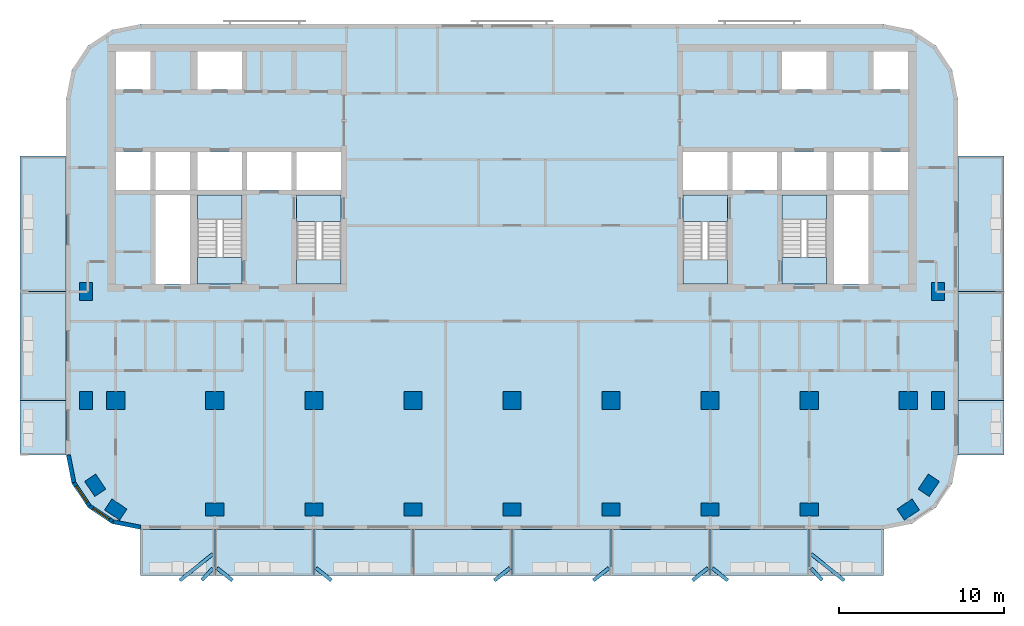
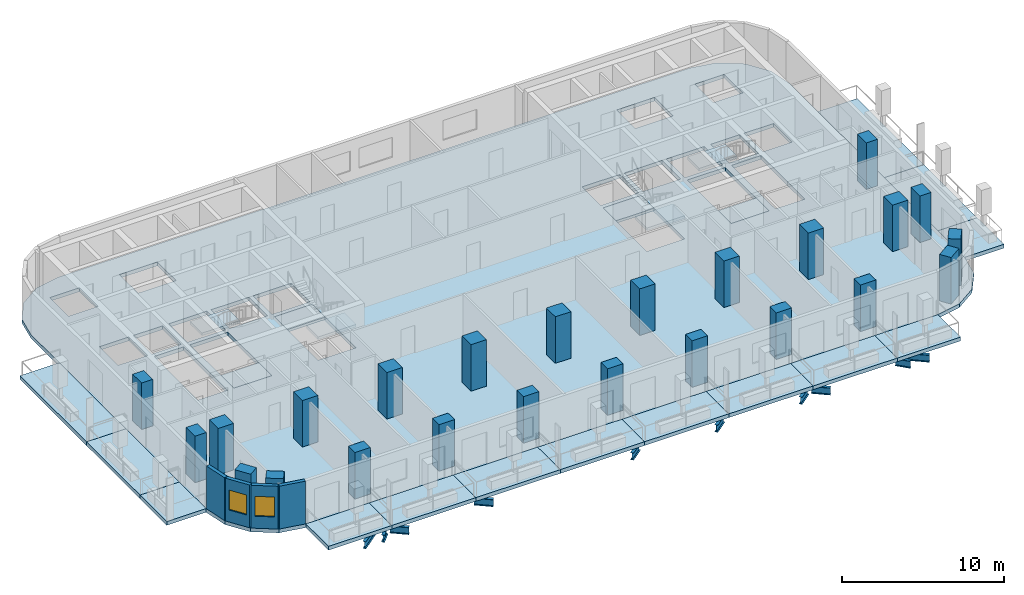
# One storey, part 1 of 11: 24 columns, 23 slabs, 10 beams, 4 walls, 2 windows, 2 openings, 4 elements without a shape of their own.
"""IFC4 building model written with IfcOpenShell, lengths in metres."""

import ifcopenshell
import ifcopenshell.guid

model = None  # the IFC model being written
_history = None  # IfcOwnerHistory: only IFC2X3 demands one
_inside = {}  # id of a spatial element -> (the spatial element, [elements in it])
_under = {}  # id of a project, library or spatial element -> (it, [spatial elements below it])
_declared = {}  # id of a project -> (the project, [libraries it declares])
_typed = {}  # id of a type object -> (the type object, [elements of that type])
_made_of = {}  # id of a material, layer set ... -> (it, [elements and type objects made of it])


def new_model(schema):
    """Start an empty IFC model of exactly this schema.

    Asked for "IFC4X3", IfcOpenShell would pick the latest addendum, in which some entities
    have other attributes; the version numbers below select the first issue.
    IFC2X3 requires an IfcOwnerHistory on every rooted entity: one is made here for all.
    """
    global model, _history
    if schema == "IFC4X3":
        model = ifcopenshell.file(schema_version=(4, 3, 0, 0))
    else:
        model = ifcopenshell.file(schema=schema)
    _inside.clear()
    _under.clear()
    _declared.clear()
    _typed.clear()
    _made_of.clear()
    _history = None
    if model.schema == "IFC2X3":
        org = make("IfcOrganization", Name="unknown")
        user = make(
            "IfcPersonAndOrganization",
            ThePerson=make("IfcPerson", FamilyName="unknown"),
            TheOrganization=org,
        )
        app = make(
            "IfcApplication",
            ApplicationDeveloper=org,
            Version="unknown",
            ApplicationFullName="unknown",
            ApplicationIdentifier="unknown",
        )
        _history = make(
            "IfcOwnerHistory",
            OwningUser=user,
            OwningApplication=app,
            ChangeAction="ADDED",
            CreationDate=0,
        )
    return model


def make(cls, **values):
    """One entity of the class cls with the attributes given. An attribute that is None is left unset."""
    return model.create_entity(
        cls, **{name: value for name, value in values.items() if value is not None}
    )


def rooted(cls, **values):
    """An entity with a GlobalId (a new one), such as an element, a storey or a relation."""
    return make(cls, GlobalId=ifcopenshell.guid.new(), OwnerHistory=_history, **values)


def si_unit(unit_type, name, prefix=None):
    """IfcSIUnit, for example si_unit("LENGTHUNIT", "METRE", prefix="MILLI")."""
    return make("IfcSIUnit", UnitType=unit_type, Prefix=prefix, Name=name)


def assignment(units):
    """IfcUnitAssignment: the units of a project."""
    return None if units is None else make("IfcUnitAssignment", Units=units)


def point(xyz):
    """IfcCartesianPoint."""
    return None if xyz is None else make("IfcCartesianPoint", Coordinates=xyz)


def direction(xyz):
    """IfcDirection."""
    return None if xyz is None else make("IfcDirection", DirectionRatios=xyz)


def frame(location, z_axis=None, x_axis=None):
    """IfcAxis2Placement3D, a coordinate frame: its origin and axes. An axis left out is left unset."""
    return make(
        "IfcAxis2Placement3D",
        Location=point(location),
        Axis=direction(z_axis),
        RefDirection=direction(x_axis),
    )


def frame_2d(location, x_axis=None):
    """IfcAxis2Placement2D, a coordinate frame in the plane: its origin and x axis."""
    return make(
        "IfcAxis2Placement2D", Location=point(location), RefDirection=direction(x_axis)
    )


def origin():
    """The frame at (0, 0, 0) with its axes left unset."""
    return frame((0.0, 0.0, 0.0))


def origin_2d():
    """The frame at (0, 0) in the plane with its x axis left unset."""
    return frame_2d((0.0, 0.0))


def place(relative_to, where):
    """IfcLocalPlacement: puts the frame where relative to a parent placement (None: the world)."""
    return make(
        "IfcLocalPlacement", PlacementRelTo=relative_to, RelativePlacement=where
    )


def context(
    kind, dimensions, precision=None, world=None, true_north=None, identifier=None
):
    """IfcGeometricRepresentationContext, for example the 3D "Model" context."""
    return make(
        "IfcGeometricRepresentationContext",
        ContextIdentifier=identifier,
        ContextType=kind,
        CoordinateSpaceDimension=dimensions,
        Precision=precision,
        WorldCoordinateSystem=world,
        TrueNorth=true_north,
    )


def subcontext(parent, identifier, kind, view, scale=None):
    """IfcGeometricRepresentationSubContext, for example "Body" below "Model"."""
    return make(
        "IfcGeometricRepresentationSubContext",
        ContextIdentifier=identifier,
        ContextType=kind,
        ParentContext=parent,
        TargetScale=scale,
        TargetView=view,
    )


def project(units=None, contexts=None):
    """IfcProject with its units and contexts."""
    return rooted(
        "IfcProject",
        Name="project",
        RepresentationContexts=contexts,
        UnitsInContext=assignment(units),
    )


def spatial(cls, under=None, at=None, **own):
    """A site, building, storey or space (cls), placed at a placement, below another one or the project."""
    s = rooted(cls, ObjectPlacement=at, **own)
    if under is not None:
        _under.setdefault(under.id(), (under, []))[1].append(s)
    return s


def polyline(points):
    """IfcPolyline through the points."""
    return make("IfcPolyline", Points=[point(p) for p in points])


def profile(cls, at=None, kind="AREA", **sizes):
    """A parametric profile (cls). Its sizes go by their IFC names, for example OverallWidth=200.0."""
    return make(cls, ProfileType=kind, Position=at, **sizes)


def rectangle(**sizes):
    """IfcRectangleProfileDef."""
    return profile("IfcRectangleProfileDef", **sizes)


def i_section(**sizes):
    """IfcIShapeProfileDef."""
    return profile("IfcIShapeProfileDef", **sizes)


def outline(outer, holes=None, kind="AREA"):
    """IfcArbitraryClosedProfileDef: a profile drawn as a closed curve; with holes, ...WithVoids."""
    if holes is None:
        return make("IfcArbitraryClosedProfileDef", ProfileType=kind, OuterCurve=outer)
    return make(
        "IfcArbitraryProfileDefWithVoids",
        ProfileType=kind,
        OuterCurve=outer,
        InnerCurves=holes,
    )


def extrude(swept, where, along, depth):
    """IfcExtrudedAreaSolid: the profile swept, set in the frame where, extruded along a direction by depth."""
    return make(
        "IfcExtrudedAreaSolid",
        SweptArea=swept,
        Position=where,
        ExtrudedDirection=direction(along),
        Depth=depth,
    )


def shape(context_of_items, identifier, shape_type, items):
    """IfcShapeRepresentation: the items that make up one representation, for example the "Body"."""
    return make(
        "IfcShapeRepresentation",
        ContextOfItems=context_of_items,
        RepresentationIdentifier=identifier,
        RepresentationType=shape_type,
        Items=items,
    )


def material(Name=None, Category=None):
    """IfcMaterial."""
    return make("IfcMaterial", Name=Name, Category=Category)


def layer(
    of_material, thickness, ventilated=None, Name=None, Category=None, Priority=None
):
    """IfcMaterialLayer: one layer of a wall or slab, of a material (None: an air gap)."""
    return make(
        "IfcMaterialLayer",
        Material=of_material,
        LayerThickness=thickness,
        IsVentilated=ventilated,
        Name=Name,
        Category=Category,
        Priority=Priority,
    )


def layer_set(layers, Name=None):
    """IfcMaterialLayerSet."""
    return make("IfcMaterialLayerSet", MaterialLayers=layers, LayerSetName=Name)


def material_profile(
    of_material, cross_section, Name=None, Category=None, Priority=None
):
    """IfcMaterialProfile: a cross section and its material."""
    return make(
        "IfcMaterialProfile",
        Name=Name,
        Material=of_material,
        Profile=cross_section,
        Priority=Priority,
        Category=Category,
    )


def profile_set(profiles, Name=None, composite=None):
    """IfcMaterialProfileSet."""
    return make(
        "IfcMaterialProfileSet",
        Name=Name,
        MaterialProfiles=profiles,
        CompositeProfile=composite,
    )


def made_of(thing, what):
    """Note that an element or type object is made of a material, layer set ...; save() writes the relation."""
    if what is not None:
        _made_of.setdefault(what.id(), (what, []))[1].append(thing)
    return thing


def type_object(cls, material=None, **own):
    """A type object (cls), such as IfcWallType, which elements share."""
    return made_of(rooted(cls, **own), material)


def element(
    cls,
    number,
    at=None,
    inside=None,
    cuts=None,
    type_object=None,
    material=None,
    context=None,
    identifier="Body",
    shape_type=None,
    held_by="IfcProductDefinitionShape",
    body=None,
    shapes=None,
    **own,
):
    """One element of the class cls, such as IfcWall. Its Tag is "e" and its number.

    at: its placement. inside: the storey or other place that contains it. cuts: it is an
    opening in that element (IfcRelVoidsElement). A single representation is given by context,
    identifier, shape_type and body (its items); several are given by shapes. held_by: the class
    of the entity that holds the representations. save() writes the other relations.
    """
    e = rooted(cls, Tag="e%d" % number, ObjectPlacement=at, **own)
    if body is not None:
        shapes = [shape(context, identifier, shape_type, body)]
    if shapes is not None:
        e.Representation = make(held_by, Representations=shapes)
    if inside is not None:
        _inside.setdefault(inside.id(), (inside, []))[1].append(e)
    if cuts is not None:
        rooted(
            "IfcRelVoidsElement", RelatingBuildingElement=cuts, RelatedOpeningElement=e
        )
    if type_object is not None:
        _typed.setdefault(type_object.id(), (type_object, []))[1].append(e)
    return made_of(e, material)


def fill(opening, filler):
    """IfcRelFillsElement: the door or window that sits in an opening."""
    return rooted(
        "IfcRelFillsElement",
        RelatingOpeningElement=opening,
        RelatedBuildingElement=filler,
    )


def aggregate(whole, parts):
    """IfcRelAggregates: a whole, such as a stair, and the parts it consists of."""
    return rooted("IfcRelAggregates", RelatingObject=whole, RelatedObjects=parts)


def save(model, path):
    """Write the relations noted so far, then the file.

    IfcRelAggregates (storeys below a building ...), IfcRelContainedInSpatialStructure (elements
    in a storey), IfcRelDefinesByType, IfcRelAssociatesMaterial and IfcRelDeclares: one each for
    every whole, place, type object, material and project.
    """
    for whole, parts in _under.values():
        aggregate(whole, parts)
    for where, things in _inside.values():
        rooted(
            "IfcRelContainedInSpatialStructure",
            RelatedElements=things,
            RelatingStructure=where,
        )
    for kind, things in _typed.values():
        rooted("IfcRelDefinesByType", RelatedObjects=things, RelatingType=kind)
    for what, things in _made_of.values():
        rooted("IfcRelAssociatesMaterial", RelatedObjects=things, RelatingMaterial=what)
    for by, libraries in _declared.values():
        rooted("IfcRelDeclares", RelatingContext=by, RelatedDefinitions=libraries)
    model.write(path)


model = new_model("IFC4")

# Units and contexts
model_context = context("Model", 3, precision=1e-05, world=origin(), true_north=direction((0.0, 1.0)))
body_context = subcontext(model_context, "Body", "Model", "MODEL_VIEW")
ifc_project = project(units=[si_unit("LENGTHUNIT", "METRE"), si_unit("AREAUNIT", "SQUARE_METRE"), si_unit("VOLUMEUNIT", "CUBIC_METRE"), si_unit("PLANEANGLEUNIT", "RADIAN"), si_unit("MASSUNIT", "GRAM", prefix="KILO")], contexts=[model_context])

# Site, building, storey
site_placement = place(None, origin())
site = spatial("IfcSite", under=ifc_project, at=site_placement, CompositionType="ELEMENT")
building_placement = place(site_placement, origin())
building = spatial("IfcBuilding", under=site, at=building_placement, Name="Torana Hotel and Residences", CompositionType="ELEMENT")
storey_placement = place(building_placement, frame((0.0, 0.0, 183.60009765625)))
storey = spatial("IfcBuildingStorey", under=building, at=storey_placement, Name="L47", CompositionType="ELEMENT", Elevation=183.60009765625)

# Columns
ifc_material_1 = material(Name="Concrete C60/75", Category="concrete")
ifc_material_profile_1 = material_profile(ifc_material_1, rectangle(XDim=1.10009765625, YDim=1.10009765625, at=origin_2d()), Name="RC 1100x1100")
ifc_profile_set_1 = profile_set([ifc_material_profile_1], Name="Concrete C60/75")
column_type_1 = type_object("IfcColumnType", Name="COLUMN RC 1100x1100 C60/75", PredefinedType="COLUMN", material=ifc_profile_set_1)
for number, where, z_axis, x_axis, name in (
    (1, (-24.0, -21.60009765625, -0.280029296875), (0.0, 0.0, 1.0), (1.0, 0.0, 0.0), "Column L47"),
    (2, (-18.0, -21.60009765625, -0.280029296875), (0.0, 0.0, 1.0), (1.0, 0.0, 0.0), "Column L47"),
    (3, (-12.0, -21.60009765625, -0.280029296875), (0.0, 0.0, 1.0), (1.0, 0.0, 0.0), "Column L47"),
    (4, (-6.0, -21.60009765625, -0.280029296875), (0.0, 0.0, 1.0), (1.0, 0.0, 0.0), "Column L47"),
    (5, (0.0, -21.60009765625, -0.280029296875), (0.0, 0.0, 1.0), (1.0, 0.0, 0.0), "Column L47"),
    (6, (6.0, -21.60009765625, -0.280029296875), (0.0, 0.0, 1.0), (1.0, 0.0, 0.0), "Column L47"),
    (7, (12.0, -21.60009765625, -0.280029296875), (0.0, 0.0, 1.0), (1.0, 0.0, 0.0), "Column L47"),
    (8, (18.0, -21.60009765625, -0.280029296875), (0.0, 0.0, 1.0), (1.0, 0.0, 0.0), "Column L47"),
    (9, (24.0, -21.60009765625, -0.280029296875), (0.0, 0.0, 1.0), (1.0, 0.0, 0.0), "Column L47"),
):
    element("IfcColumn", number, at=place(storey_placement, frame(where, z_axis=z_axis, x_axis=x_axis)), inside=storey, type_object=column_type_1, Name=name, PredefinedType="COLUMN", context=body_context, shape_type="SweptSolid", body=[
        extrude(rectangle(XDim=1.10009765625, YDim=1.10009765625, at=origin_2d()), origin(), (0.0, 0.0, 1.0), 3.780029296875),
    ])
ifc_material_2 = material(Name="Concrete C60/75", Category="concrete")
ifc_material_profile_2 = material_profile(ifc_material_2, rectangle(XDim=1.10009765625, YDim=0.800048828125, at=origin_2d()), Name="RC 1100x800")
ifc_profile_set_2 = profile_set([ifc_material_profile_2], Name="Concrete C60/75")
column_type_2 = type_object("IfcColumnType", Name="COLUMN RC 1100x800 C60/75", PredefinedType="COLUMN", material=ifc_profile_set_2)
for number, where, z_axis, x_axis, name in (
    (10, (-25.800048828125, -21.60009765625, -0.280029296875), (0.0, 0.0, 1.0), (0.0, 1.0, 0.0), "Column L47"),
    (11, (-25.800048828125, -15.0, -0.280029296875), (0.0, 0.0, 1.0), (0.0, 1.0, 0.0), "Column L47"),
    (12, (-25.243896484375, -26.73291015625, -0.280029296875), (0.0, 0.0, 1.0), (-0.555584744817, 0.831459915646, 0.0), "Column L47"),
    (13, (-24.0, -28.199951171875, -0.280029296875), (0.0, 0.0, 1.0), (-0.831459915646, 0.555584744817, 0.0), "Column L47"),
    (14, (-18.0, -28.199951171875, -0.280029296875), (0.0, 0.0, 1.0), (1.0, 0.0, 0.0), "Column L47"),
    (15, (-12.0, -28.199951171875, -0.280029296875), (0.0, 0.0, 1.0), (1.0, 0.0, 0.0), "Column L47"),
    (16, (-6.0, -28.199951171875, -0.280029296875), (0.0, 0.0, 1.0), (1.0, 0.0, 0.0), "Column L47"),
    (17, (0.0, -28.199951171875, -0.280029296875), (0.0, 0.0, 1.0), (1.0, 0.0, 0.0), "Column L47"),
    (18, (6.0, -28.199951171875, -0.280029296875), (0.0, 0.0, 1.0), (1.0, 0.0, 0.0), "Column L47"),
    (19, (12.0, -28.199951171875, -0.280029296875), (0.0, 0.0, 1.0), (1.0, 0.0, 0.0), "Column L47"),
    (20, (18.0, -28.199951171875, -0.280029296875), (0.0, 0.0, 1.0), (1.0, 0.0, 0.0), "Column L47"),
    (21, (24.0, -28.199951171875, -0.280029296875), (0.0, 0.0, 1.0), (0.831459915646, 0.555584744817, 0.0), "Column L47"),
    (22, (25.243896484375, -26.73291015625, -0.280029296875), (0.0, 0.0, 1.0), (0.555584744817, 0.831459915646, 0.0), "Column L47"),
    (23, (25.800048828125, -21.60009765625, -0.280029296875), (0.0, 0.0, 1.0), (0.0, 1.0, 0.0), "Column L47"),
    (24, (25.800048828125, -15.0, -0.280029296875), (0.0, 0.0, 1.0), (0.0, 1.0, 0.0), "Column L47"),
):
    element("IfcColumn", number, at=place(storey_placement, frame(where, z_axis=z_axis, x_axis=x_axis)), inside=storey, type_object=column_type_2, Name=name, PredefinedType="COLUMN", context=body_context, shape_type="SweptSolid", body=[
        extrude(rectangle(XDim=1.10009765625, YDim=0.800048828125, at=origin_2d()), origin(), (0.0, 0.0, 1.0), 3.780029296875),
    ])

# Beams
ifc_material_3 = material(Name="Steel S355", Category="steel")
ifc_material_profile_3 = material_profile(ifc_material_3, i_section(OverallWidth=0.2119140625, OverallDepth=0.54443359375, WebThickness=0.0126953125, FlangeThickness=0.021240234375, FilletRadius=0.0126953125, at=origin_2d()), Name="533x210x122 UB")
ifc_profile_set_3 = profile_set([ifc_material_profile_3], Name="Steel S355")
beam_type = type_object("IfcBeamType", Name="BALCONY TIE BEAM 533x210x122 UB", PredefinedType="BEAM", material=ifc_profile_set_3)
beam_1_placement = place(storey_placement, frame((-18.78369140625, -32.47607421875, -0.552490234375), z_axis=(0.683849600619, 0.729623001099, 0.0), x_axis=(-0.729623001099, 0.683849600619, 0.0)))
element("IfcBeam", 25, at=beam_1_placement, inside=storey, type_object=beam_type, Name="Balcony tie beam", PredefinedType="BEAM", context=body_context, shape_type="SweptSolid", body=[
    extrude(i_section(OverallWidth=0.2119140625, OverallDepth=0.54443359375, WebThickness=0.0126953125, FlangeThickness=0.021240234375, FilletRadius=0.0126953125, at=origin_2d()), origin(), (0.0, 0.0, 1.0), 0.97607421875),
])
beam_2_placement = place(storey_placement, frame((-20.1171875, -32.493896484375, -0.552490234375), z_axis=(0.780840691189, 0.62473019375, 0.0), x_axis=(-0.62473019375, 0.780840691189, 0.0)))
element("IfcBeam", 26, at=beam_2_placement, inside=storey, type_object=beam_type, Name="Balcony tie beam", PredefinedType="BEAM", context=body_context, shape_type="SweptSolid", body=[
    extrude(i_section(OverallWidth=0.2119140625, OverallDepth=0.54443359375, WebThickness=0.0126953125, FlangeThickness=0.021240234375, FilletRadius=0.0126953125, at=origin_2d()), origin(), (0.0, 0.0, 1.0), 2.541259765625),
])
for number, where, z_axis, x_axis, name in (
    (27, (-16.9326171875, -32.493896484375, -0.552490234375), (-0.780809106427, 0.624769669014, 0.0), (-0.624769669014, -0.780809106427, 0.0), "Balcony tie beam"),
    (28, (-10.9326171875, -32.493896484375, -0.552490234375), (-0.780809106427, 0.624769669014, 0.0), (-0.624769669014, -0.780809106427, 0.0), "Balcony tie beam"),
    (29, (-1.0673828125, -32.493896484375, -0.552490234375), (0.780809106427, 0.624769669014, 0.0), (-0.624769669014, 0.780809106427, 0.0), "Balcony tie beam"),
    (30, (4.9326171875, -32.493896484375, -0.552490234375), (0.780809106427, 0.624769669014, 0.0), (-0.624769669014, 0.780809106427, 0.0), "Balcony tie beam"),
    (31, (10.9326171875, -32.493896484375, -0.552490234375), (0.780809106427, 0.624769669014, 0.0), (-0.624769669014, 0.780809106427, 0.0), "Balcony tie beam"),
    (32, (13.0673828125, -32.493896484375, -0.552490234375), (-0.780809106427, 0.624769669014, 0.0), (-0.624769669014, -0.780809106427, 0.0), "Balcony tie beam"),
):
    element("IfcBeam", number, at=place(storey_placement, frame(where, z_axis=z_axis, x_axis=x_axis)), inside=storey, type_object=beam_type, Name=name, PredefinedType="BEAM", context=body_context, shape_type="SweptSolid", body=[
        extrude(i_section(OverallWidth=0.2119140625, OverallDepth=0.54443359375, WebThickness=0.0126953125, FlangeThickness=0.021240234375, FilletRadius=0.0126953125, at=origin_2d()), origin(), (0.0, 0.0, 1.0), 1.197021484375),
    ])
beam_3_placement = place(storey_placement, frame((18.78369140625, -32.47607421875, -0.552490234375), z_axis=(-0.683849600619, 0.729623001099, 0.0), x_axis=(-0.729623001099, -0.683849600619, 0.0)))
element("IfcBeam", 33, at=beam_3_placement, inside=storey, type_object=beam_type, Name="Balcony tie beam", PredefinedType="BEAM", context=body_context, shape_type="SweptSolid", body=[
    extrude(i_section(OverallWidth=0.2119140625, OverallDepth=0.54443359375, WebThickness=0.0126953125, FlangeThickness=0.021240234375, FilletRadius=0.0126953125, at=origin_2d()), origin(), (0.0, 0.0, 1.0), 0.97607421875),
])
beam_4_placement = place(storey_placement, frame((20.1171875, -32.493896484375, -0.552490234375), z_axis=(-0.780840691189, 0.62473019375, 0.0), x_axis=(-0.62473019375, -0.780840691189, 0.0)))
element("IfcBeam", 34, at=beam_4_placement, inside=storey, type_object=beam_type, Name="Balcony tie beam", PredefinedType="BEAM", context=body_context, shape_type="SweptSolid", body=[
    extrude(i_section(OverallWidth=0.2119140625, OverallDepth=0.54443359375, WebThickness=0.0126953125, FlangeThickness=0.021240234375, FilletRadius=0.0126953125, at=origin_2d()), origin(), (0.0, 0.0, 1.0), 2.541259765625),
])

# Slabs
ifc_material_4 = material(Name="Concrete C40/50", Category="concrete")
ifc_layer_1 = layer(ifc_material_4, 0.280029296875)
ifc_layer_set_1 = layer_set([ifc_layer_1], Name="BAL1 BALCONY SLAB 280")
slab_type_1 = type_object("IfcSlabType", Name="BAL1 BALCONY SLAB 280", PredefinedType="USERDEFINED", material=ifc_layer_set_1)
slab_1_placement = place(storey_placement, frame((0.0, 0.0, -0.280029296875)))
element("IfcSlab", 35, at=slab_1_placement, inside=storey, type_object=slab_type_1, Name="Balcony 01", ObjectType="BALCONY", PredefinedType="USERDEFINED", context=body_context, shape_type="SweptSolid", body=[
    extrude(outline(polyline([(-22.5, -32.199951171875), (-18.0, -32.199951171875), (-18.0, -29.39990234375), (-22.5, -29.39990234375), (-22.5, -32.199951171875)])), origin(), (0.0, 0.0, 1.0), 0.280029296875),
])
slab_2_placement = place(storey_placement, frame((0.0, 0.0, -0.280029296875)))
element("IfcSlab", 36, at=slab_2_placement, inside=storey, type_object=slab_type_1, Name="Balcony 02", ObjectType="BALCONY", PredefinedType="USERDEFINED", context=body_context, shape_type="SweptSolid", body=[
    extrude(outline(polyline([(-18.0, -32.199951171875), (-12.0, -32.199951171875), (-12.0, -29.39990234375), (-18.0, -29.39990234375), (-18.0, -32.199951171875)])), origin(), (0.0, 0.0, 1.0), 0.280029296875),
])
slab_3_placement = place(storey_placement, frame((0.0, 0.0, -0.280029296875)))
element("IfcSlab", 37, at=slab_3_placement, inside=storey, type_object=slab_type_1, Name="Balcony 03", ObjectType="BALCONY", PredefinedType="USERDEFINED", context=body_context, shape_type="SweptSolid", body=[
    extrude(outline(polyline([(-12.0, -32.199951171875), (-6.0, -32.199951171875), (-6.0, -29.39990234375), (-12.0, -29.39990234375), (-12.0, -32.199951171875)])), origin(), (0.0, 0.0, 1.0), 0.280029296875),
])
slab_4_placement = place(storey_placement, frame((0.0, 0.0, -0.280029296875)))
element("IfcSlab", 38, at=slab_4_placement, inside=storey, type_object=slab_type_1, Name="Balcony 04", ObjectType="BALCONY", PredefinedType="USERDEFINED", context=body_context, shape_type="SweptSolid", body=[
    extrude(outline(polyline([(-6.0, -32.199951171875), (0.0, -32.199951171875), (0.0, -29.39990234375), (-6.0, -29.39990234375), (-6.0, -32.199951171875)])), origin(), (0.0, 0.0, 1.0), 0.280029296875),
])
slab_5_placement = place(storey_placement, frame((0.0, 0.0, -0.280029296875)))
element("IfcSlab", 39, at=slab_5_placement, inside=storey, type_object=slab_type_1, Name="Balcony 05", ObjectType="BALCONY", PredefinedType="USERDEFINED", context=body_context, shape_type="SweptSolid", body=[
    extrude(outline(polyline([(0.0, -32.199951171875), (6.0, -32.199951171875), (6.0, -29.39990234375), (0.0, -29.39990234375), (0.0, -32.199951171875)])), origin(), (0.0, 0.0, 1.0), 0.280029296875),
])
slab_6_placement = place(storey_placement, frame((0.0, 0.0, -0.280029296875)))
element("IfcSlab", 40, at=slab_6_placement, inside=storey, type_object=slab_type_1, Name="Balcony 06", ObjectType="BALCONY", PredefinedType="USERDEFINED", context=body_context, shape_type="SweptSolid", body=[
    extrude(outline(polyline([(6.0, -32.199951171875), (12.0, -32.199951171875), (12.0, -29.39990234375), (6.0, -29.39990234375), (6.0, -32.199951171875)])), origin(), (0.0, 0.0, 1.0), 0.280029296875),
])
slab_7_placement = place(storey_placement, frame((0.0, 0.0, -0.280029296875)))
element("IfcSlab", 41, at=slab_7_placement, inside=storey, type_object=slab_type_1, Name="Balcony 07", ObjectType="BALCONY", PredefinedType="USERDEFINED", context=body_context, shape_type="SweptSolid", body=[
    extrude(outline(polyline([(12.0, -32.199951171875), (18.0, -32.199951171875), (18.0, -29.39990234375), (12.0, -29.39990234375), (12.0, -32.199951171875)])), origin(), (0.0, 0.0, 1.0), 0.280029296875),
])
slab_8_placement = place(storey_placement, frame((0.0, 0.0, -0.280029296875)))
element("IfcSlab", 42, at=slab_8_placement, inside=storey, type_object=slab_type_1, Name="Balcony 08", ObjectType="BALCONY", PredefinedType="USERDEFINED", context=body_context, shape_type="SweptSolid", body=[
    extrude(outline(polyline([(18.0, -32.199951171875), (22.5, -32.199951171875), (22.5, -29.39990234375), (18.0, -29.39990234375), (18.0, -32.199951171875)])), origin(), (0.0, 0.0, 1.0), 0.280029296875),
])
slab_9_placement = place(storey_placement, frame((0.0, 0.0, -0.280029296875)))
element("IfcSlab", 43, at=slab_9_placement, inside=storey, type_object=slab_type_1, Name="Balcony 09", ObjectType="BALCONY", PredefinedType="USERDEFINED", context=body_context, shape_type="SweptSolid", body=[
    extrude(outline(polyline([(-29.800048828125, -24.89990234375), (-27.0, -24.89990234375), (-27.0, -21.60009765625), (-29.800048828125, -21.60009765625), (-29.800048828125, -24.89990234375)])), origin(), (0.0, 0.0, 1.0), 0.280029296875),
])
slab_10_placement = place(storey_placement, frame((0.0, 0.0, -0.280029296875)))
element("IfcSlab", 44, at=slab_10_placement, inside=storey, type_object=slab_type_1, Name="Balcony 10", ObjectType="BALCONY", PredefinedType="USERDEFINED", context=body_context, shape_type="SweptSolid", body=[
    extrude(outline(polyline([(-29.800048828125, -21.60009765625), (-27.0, -21.60009765625), (-27.0, -15.0), (-29.800048828125, -15.0), (-29.800048828125, -21.60009765625)])), origin(), (0.0, 0.0, 1.0), 0.280029296875),
])
slab_11_placement = place(storey_placement, frame((0.0, 0.0, -0.280029296875)))
element("IfcSlab", 45, at=slab_11_placement, inside=storey, type_object=slab_type_1, Name="Balcony 11", ObjectType="BALCONY", PredefinedType="USERDEFINED", context=body_context, shape_type="SweptSolid", body=[
    extrude(outline(polyline([(-29.800048828125, -15.0), (-27.0, -15.0), (-27.0, -6.800048828125), (-29.800048828125, -6.800048828125), (-29.800048828125, -15.0)])), origin(), (0.0, 0.0, 1.0), 0.280029296875),
])
slab_12_placement = place(storey_placement, frame((0.0, 0.0, -0.280029296875)))
element("IfcSlab", 46, at=slab_12_placement, inside=storey, type_object=slab_type_1, Name="Balcony 12", ObjectType="BALCONY", PredefinedType="USERDEFINED", context=body_context, shape_type="SweptSolid", body=[
    extrude(outline(polyline([(27.0, -24.89990234375), (29.800048828125, -24.89990234375), (29.800048828125, -21.60009765625), (27.0, -21.60009765625), (27.0, -24.89990234375)])), origin(), (0.0, 0.0, 1.0), 0.280029296875),
])
slab_13_placement = place(storey_placement, frame((0.0, 0.0, -0.280029296875)))
element("IfcSlab", 47, at=slab_13_placement, inside=storey, type_object=slab_type_1, Name="Balcony 13", ObjectType="BALCONY", PredefinedType="USERDEFINED", context=body_context, shape_type="SweptSolid", body=[
    extrude(outline(polyline([(27.0, -21.60009765625), (29.800048828125, -21.60009765625), (29.800048828125, -15.0), (27.0, -15.0), (27.0, -21.60009765625)])), origin(), (0.0, 0.0, 1.0), 0.280029296875),
])
slab_14_placement = place(storey_placement, frame((0.0, 0.0, -0.280029296875)))
element("IfcSlab", 48, at=slab_14_placement, inside=storey, type_object=slab_type_1, Name="Balcony 14", ObjectType="BALCONY", PredefinedType="USERDEFINED", context=body_context, shape_type="SweptSolid", body=[
    extrude(outline(polyline([(27.0, -15.0), (29.800048828125, -15.0), (29.800048828125, -6.800048828125), (27.0, -6.800048828125), (27.0, -15.0)])), origin(), (0.0, 0.0, 1.0), 0.280029296875),
])
ifc_material_5 = material(Name="Concrete C40/50", Category="concrete")
ifc_layer_2 = layer(ifc_material_5, 0.280029296875)
ifc_layer_set_2 = layer_set([ifc_layer_2], Name="FLOOR SLAB PT 280")
slab_type_2 = type_object("IfcSlabType", Name="FLOOR SLAB PT 280", PredefinedType="FLOOR", material=ifc_layer_set_2)
slab_15_placement = place(storey_placement, frame((0.0, 0.0, -0.280029296875)))
element("IfcSlab", 49, at=slab_15_placement, inside=storey, type_object=slab_type_2, Name="Floor slab", PredefinedType="FLOOR", context=body_context, shape_type="SweptSolid", body=[
    extrude(outline(polyline([(27.0, -3.300048828125), (26.657470703125, -1.577880859375), (25.681884765625, -0.117919921875), (24.22216796875, 0.857421875), (22.5, 1.199951171875), (-22.5, 1.199951171875), (-24.22216796875, 0.857421875), (-25.681884765625, -0.117919921875), (-26.657470703125, -1.577880859375), (-27.0, -3.300048828125), (-27.0, -24.89990234375), (-26.657470703125, -26.6220703125), (-25.681884765625, -28.08203125), (-24.22216796875, -29.0576171875), (-22.5, -29.39990234375), (22.5, -29.39990234375), (24.22216796875, -29.0576171875), (25.681884765625, -28.08203125), (26.657470703125, -26.6220703125), (27.0, -24.89990234375), (27.0, -3.300048828125)]), holes=[polyline([(-13.050048828125, -14.550048828125), (-10.35009765625, -14.550048828125), (-10.35009765625, -9.14990234375), (-13.050048828125, -9.14990234375), (-13.050048828125, -14.550048828125)]), polyline([(-19.050048828125, -14.550048828125), (-16.35009765625, -14.550048828125), (-16.35009765625, -9.14990234375), (-19.050048828125, -9.14990234375), (-19.050048828125, -14.550048828125)]), polyline([(-19.050048828125, -2.75), (-16.35009765625, -2.75), (-16.35009765625, -0.449951171875), (-19.050048828125, -0.449951171875), (-19.050048828125, -2.75)]), polyline([(-21.60009765625, -8.85009765625), (-19.5, -8.85009765625), (-19.5, -6.550048828125), (-21.60009765625, -6.550048828125), (-21.60009765625, -8.85009765625)]), polyline([(-24.0, -2.75), (-21.89990234375, -2.75), (-21.89990234375, -0.449951171875), (-24.0, -0.449951171875), (-24.0, -2.75)]), polyline([(-24.0, -8.85009765625), (-21.89990234375, -8.85009765625), (-21.89990234375, -6.550048828125), (-24.0, -6.550048828125), (-24.0, -8.85009765625)]), polyline([(-13.050048828125, -8.85009765625), (-10.35009765625, -8.85009765625), (-10.35009765625, -6.550048828125), (-13.050048828125, -6.550048828125), (-13.050048828125, -8.85009765625)]), polyline([(-16.050048828125, -8.85009765625), (-13.35009765625, -8.85009765625), (-13.35009765625, -6.550048828125), (-16.050048828125, -6.550048828125), (-16.050048828125, -8.85009765625)]), polyline([(-19.050048828125, -8.85009765625), (-16.35009765625, -8.85009765625), (-16.35009765625, -6.550048828125), (-19.050048828125, -6.550048828125), (-19.050048828125, -8.85009765625)]), polyline([(-21.60009765625, -14.550048828125), (-19.5, -14.550048828125), (-19.5, -9.14990234375), (-21.60009765625, -9.14990234375), (-21.60009765625, -14.550048828125)]), polyline([(10.35009765625, -14.550048828125), (13.050048828125, -14.550048828125), (13.050048828125, -9.14990234375), (10.35009765625, -9.14990234375), (10.35009765625, -14.550048828125)]), polyline([(16.35009765625, -14.550048828125), (19.050048828125, -14.550048828125), (19.050048828125, -9.14990234375), (16.35009765625, -9.14990234375), (16.35009765625, -14.550048828125)]), polyline([(16.35009765625, -2.75), (19.050048828125, -2.75), (19.050048828125, -0.449951171875), (16.35009765625, -0.449951171875), (16.35009765625, -2.75)]), polyline([(19.5, -8.85009765625), (21.60009765625, -8.85009765625), (21.60009765625, -6.550048828125), (19.5, -6.550048828125), (19.5, -8.85009765625)]), polyline([(21.89990234375, -2.75), (24.0, -2.75), (24.0, -0.449951171875), (21.89990234375, -0.449951171875), (21.89990234375, -2.75)]), polyline([(21.89990234375, -8.85009765625), (24.0, -8.85009765625), (24.0, -6.550048828125), (21.89990234375, -6.550048828125), (21.89990234375, -8.85009765625)]), polyline([(10.35009765625, -8.85009765625), (13.050048828125, -8.85009765625), (13.050048828125, -6.550048828125), (10.35009765625, -6.550048828125), (10.35009765625, -8.85009765625)]), polyline([(13.35009765625, -8.85009765625), (16.050048828125, -8.85009765625), (16.050048828125, -6.550048828125), (13.35009765625, -6.550048828125), (13.35009765625, -8.85009765625)]), polyline([(16.35009765625, -8.85009765625), (19.050048828125, -8.85009765625), (19.050048828125, -6.550048828125), (16.35009765625, -6.550048828125), (16.35009765625, -8.85009765625)]), polyline([(19.5, -14.550048828125), (21.60009765625, -14.550048828125), (21.60009765625, -9.14990234375), (19.5, -9.14990234375), (19.5, -14.550048828125)])]), origin(), (0.0, 0.0, 1.0), 0.280029296875),
])

# Stair, slabs
ifc_material_6 = material(Name="Concrete C40/50 precast", Category="concrete")
stair_type_1 = type_object("IfcStairType", Name="STAIR ST1 HALF TURN 1200", PredefinedType="HALF_TURN_STAIR", material=ifc_material_6)
stair_1_placement = place(storey_placement, origin())
stair_1 = element("IfcStair", 50, at=stair_1_placement, inside=storey, type_object=stair_type_1, Name="Stair ST1 L47", PredefinedType="HALF_TURN_STAIR")
ifc_material_7 = material(Name="Concrete C40/50 precast", Category="concrete")
ifc_layer_3 = layer(ifc_material_7, 0.199951171875)
ifc_layer_set_3 = layer_set([ifc_layer_3], Name="STAIR LANDING 200")
slab_type_3 = type_object("IfcSlabType", Name="STAIR LANDING 200", PredefinedType="LANDING", material=ifc_layer_set_3)
slab_16_placement = place(storey_placement, frame((0.0, 0.0, 1.5498046875)))
slab_16 = element("IfcSlab", 51, at=slab_16_placement, type_object=slab_type_3, Name="ST1 landing 1", PredefinedType="LANDING", context=body_context, shape_type="SweptSolid", body=[
    extrude(outline(polyline([(-13.050048828125, -14.550048828125), (-10.35009765625, -14.550048828125), (-10.35009765625, -13.090087890625), (-13.050048828125, -13.090087890625), (-13.050048828125, -14.550048828125)])), origin(), (0.0, 0.0, 1.0), 0.2001953125),
])
slab_17_placement = place(storey_placement, frame((0.0, 0.0, -0.2001953125)))
slab_17 = element("IfcSlab", 52, at=slab_17_placement, type_object=slab_type_3, Name="ST1 landing 2", PredefinedType="LANDING", context=body_context, shape_type="SweptSolid", body=[
    extrude(outline(polyline([(-13.050048828125, -10.75), (-10.35009765625, -10.75), (-10.35009765625, -9.14990234375), (-13.050048828125, -9.14990234375), (-13.050048828125, -10.75)])), origin(), (0.0, 0.0, 1.0), 0.2001953125),
])
aggregate(stair_1, [slab_16, slab_17])

ifc_material_8 = material(Name="Concrete C40/50 precast", Category="concrete")
stair_type_2 = type_object("IfcStairType", Name="STAIR ST2 HALF TURN 1200", PredefinedType="HALF_TURN_STAIR", material=ifc_material_8)
stair_2_placement = place(storey_placement, origin())
stair_2 = element("IfcStair", 53, at=stair_2_placement, inside=storey, type_object=stair_type_2, Name="Stair ST2 L47", PredefinedType="HALF_TURN_STAIR")
slab_18_placement = place(storey_placement, frame((0.0, 0.0, 1.5498046875)))
slab_18 = element("IfcSlab", 54, at=slab_18_placement, type_object=slab_type_3, Name="ST2 landing 1", PredefinedType="LANDING", context=body_context, shape_type="SweptSolid", body=[
    extrude(outline(polyline([(-19.050048828125, -10.610107421875), (-16.35009765625, -10.610107421875), (-16.35009765625, -9.14990234375), (-19.050048828125, -9.14990234375), (-19.050048828125, -10.610107421875)])), origin(), (0.0, 0.0, 1.0), 0.2001953125),
])
slab_19_placement = place(storey_placement, frame((0.0, 0.0, -0.2001953125)))
slab_19 = element("IfcSlab", 55, at=slab_19_placement, type_object=slab_type_3, Name="ST2 landing 2", PredefinedType="LANDING", context=body_context, shape_type="SweptSolid", body=[
    extrude(outline(polyline([(-19.050048828125, -14.550048828125), (-16.35009765625, -14.550048828125), (-16.35009765625, -12.949951171875), (-19.050048828125, -12.949951171875), (-19.050048828125, -14.550048828125)])), origin(), (0.0, 0.0, 1.0), 0.2001953125),
])
aggregate(stair_2, [slab_18, slab_19])

ifc_material_9 = material(Name="Concrete C40/50 precast", Category="concrete")
stair_type_3 = type_object("IfcStairType", Name="STAIR ST3 HALF TURN 1200", PredefinedType="HALF_TURN_STAIR", material=ifc_material_9)
stair_3_placement = place(storey_placement, origin())
stair_3 = element("IfcStair", 56, at=stair_3_placement, inside=storey, type_object=stair_type_3, Name="Stair ST3 L47", PredefinedType="HALF_TURN_STAIR")
slab_20_placement = place(storey_placement, frame((0.0, 0.0, 1.5498046875)))
slab_20 = element("IfcSlab", 57, at=slab_20_placement, type_object=slab_type_3, Name="ST3 landing 1", PredefinedType="LANDING", context=body_context, shape_type="SweptSolid", body=[
    extrude(outline(polyline([(10.35009765625, -14.550048828125), (13.050048828125, -14.550048828125), (13.050048828125, -13.090087890625), (10.35009765625, -13.090087890625), (10.35009765625, -14.550048828125)])), origin(), (0.0, 0.0, 1.0), 0.2001953125),
])
slab_21_placement = place(storey_placement, frame((0.0, 0.0, -0.2001953125)))
slab_21 = element("IfcSlab", 58, at=slab_21_placement, type_object=slab_type_3, Name="ST3 landing 2", PredefinedType="LANDING", context=body_context, shape_type="SweptSolid", body=[
    extrude(outline(polyline([(10.35009765625, -10.75), (13.050048828125, -10.75), (13.050048828125, -9.14990234375), (10.35009765625, -9.14990234375), (10.35009765625, -10.75)])), origin(), (0.0, 0.0, 1.0), 0.2001953125),
])
aggregate(stair_3, [slab_20, slab_21])

ifc_material_10 = material(Name="Concrete C40/50 precast", Category="concrete")
stair_type_4 = type_object("IfcStairType", Name="STAIR ST4 HALF TURN 1200", PredefinedType="HALF_TURN_STAIR", material=ifc_material_10)
stair_4_placement = place(storey_placement, origin())
stair_4 = element("IfcStair", 59, at=stair_4_placement, inside=storey, type_object=stair_type_4, Name="Stair ST4 L47", PredefinedType="HALF_TURN_STAIR")
slab_22_placement = place(storey_placement, frame((0.0, 0.0, 1.5498046875)))
slab_22 = element("IfcSlab", 60, at=slab_22_placement, type_object=slab_type_3, Name="ST4 landing 1", PredefinedType="LANDING", context=body_context, shape_type="SweptSolid", body=[
    extrude(outline(polyline([(16.35009765625, -10.610107421875), (19.050048828125, -10.610107421875), (19.050048828125, -9.14990234375), (16.35009765625, -9.14990234375), (16.35009765625, -10.610107421875)])), origin(), (0.0, 0.0, 1.0), 0.2001953125),
])
slab_23_placement = place(storey_placement, frame((0.0, 0.0, -0.2001953125)))
slab_23 = element("IfcSlab", 61, at=slab_23_placement, type_object=slab_type_3, Name="ST4 landing 2", PredefinedType="LANDING", context=body_context, shape_type="SweptSolid", body=[
    extrude(outline(polyline([(16.35009765625, -14.550048828125), (19.050048828125, -14.550048828125), (19.050048828125, -12.949951171875), (16.35009765625, -12.949951171875), (16.35009765625, -14.550048828125)])), origin(), (0.0, 0.0, 1.0), 0.2001953125),
])
aggregate(stair_4, [slab_22, slab_23])

# Wall
ifc_material_11 = material(Name="Black aluminium composite panel", Category="aluminium")
ifc_layer_4 = layer(ifc_material_11, 0.00390625, Name="Cladding", Category="cladding")
ifc_material_12 = material(Name="Ventilated air cavity")
ifc_layer_5 = layer(ifc_material_12, 0.0400390625, Name="Ventilated cavity", Category="cavity")
ifc_material_13 = material(Name="Mineral wool insulation")
ifc_layer_6 = layer(ifc_material_13, 0.090087890625, Name="Insulation", Category="insulation")
ifc_material_14 = material(Name="Steel S280GD", Category="steel")
ifc_layer_7 = layer(ifc_material_14, 0.092041015625, Name="Steel stud frame", Category="structure")
ifc_material_15 = material(Name="Fire rated plasterboard")
ifc_layer_8 = layer(ifc_material_15, 0.011962890625, Name="Inner board", Category="finish")
ifc_layer_9 = layer(ifc_material_15, 0.011962890625, Name="Second board", Category="finish")
ifc_layer_set_4 = layer_set([ifc_layer_4, ifc_layer_5, ifc_layer_6, ifc_layer_7, ifc_layer_8, ifc_layer_9], Name="EW1 EXTERNAL WALL BLACK METAL CLAD 250")
wall_type = type_object("IfcWallType", Name="EW1 EXTERNAL WALL BLACK METAL CLAD 250", PredefinedType="SOLIDWALL", material=ifc_layer_set_4)
wall_1_placement = place(storey_placement, frame((-26.87255859375, -24.89990234375, 0.0), z_axis=(0.0, 0.0, 1.0), x_axis=(0.195026884138, -0.980797896849, 0.0)))
element("IfcWall", 62, at=wall_1_placement, inside=storey, type_object=wall_type, Name="External wall L47 e0.10", PredefinedType="SOLIDWALL", context=body_context, shape_type="SweptSolid", body=[
    extrude(rectangle(XDim=1.68115234375, YDim=0.25, at=frame_2d((0.840576171875, 0.0))), origin(), (0.0, 0.0, 1.0), 3.219970703125),
])

# Wall, opening, window
wall_2_placement = place(storey_placement, frame((-26.52587890625, -26.593994140625, 0.0), z_axis=(0.0, 0.0, 1.0), x_axis=(0.55555029066, -0.831482937015, 0.0)))
wall_2 = element("IfcWall", 63, at=wall_2_placement, inside=storey, type_object=wall_type, Name="External wall L47 e0.11", PredefinedType="SOLIDWALL", context=body_context, shape_type="SweptSolid", body=[
    extrude(rectangle(XDim=1.65625, YDim=0.25, at=frame_2d((0.828125, 0.0))), origin(), (0.0, 0.0, 1.0), 3.219970703125),
])
opening_1_placement = place(wall_2_placement, frame((0.228271484375, 0.0, 0.89990234375)))
opening_1 = element("IfcOpeningElement", 64, at=opening_1_placement, cuts=wall_2, Name="Opening W5", PredefinedType="OPENING", context=body_context, shape_type="SweptSolid", body=[
    extrude(rectangle(XDim=1.199951171875, YDim=1.5, at=frame_2d((0.60009765625, 0.75))), frame((0.0, 0.135009765625, 0.0), z_axis=(0.0, -1.0, 0.0), x_axis=(1.0, 0.0, 0.0)), (0.0, 0.0, 1.0), 0.27001953125),
])
ifc_material_16 = material(Name="Dark glass in black aluminium frame", Category="aluminium")
window_type = type_object("IfcWindowType", Name="W5 CORNER FACET WINDOW 1200x1500", PartitioningType="SINGLE_PANEL", PredefinedType="WINDOW", material=ifc_material_16)
window_1_placement = place(opening_1_placement, origin())
window_1 = element("IfcWindow", 65, at=window_1_placement, inside=storey, type_object=window_type, Name="Window L47 e0.11", OverallHeight=1.5, OverallWidth=1.199951171875, PartitioningType="SINGLE_PANEL", PredefinedType="WINDOW", context=body_context, shape_type="SweptSolid", body=[
    extrude(rectangle(XDim=1.199951171875, YDim=1.5, at=frame_2d((0.60009765625, 0.75))), frame((0.0, 0.030029296875, 0.0), z_axis=(0.0, -1.0, 0.0), x_axis=(1.0, 0.0, 0.0)), (0.0, 0.0, 1.0), 0.06005859375),
])
fill(opening_1, window_1)

wall_3_placement = place(storey_placement, frame((-25.5712890625, -28.005615234375, 0.0), z_axis=(0.0, 0.0, 1.0), x_axis=(0.831482937015, -0.55555029066, 0.0)))
wall_3 = element("IfcWall", 66, at=wall_3_placement, inside=storey, type_object=wall_type, Name="External wall L47 e0.12", PredefinedType="SOLIDWALL", context=body_context, shape_type="SweptSolid", body=[
    extrude(rectangle(XDim=1.65625, YDim=0.25, at=frame_2d((0.828125, 0.0))), origin(), (0.0, 0.0, 1.0), 3.219970703125),
])
opening_2_placement = place(wall_3_placement, frame((0.228271484375, 0.0, 0.89990234375)))
opening_2 = element("IfcOpeningElement", 67, at=opening_2_placement, cuts=wall_3, Name="Opening W5", PredefinedType="OPENING", context=body_context, shape_type="SweptSolid", body=[
    extrude(rectangle(XDim=1.199951171875, YDim=1.5, at=frame_2d((0.60009765625, 0.75))), frame((0.0, 0.135009765625, 0.0), z_axis=(0.0, -1.0, 0.0), x_axis=(1.0, 0.0, 0.0)), (0.0, 0.0, 1.0), 0.27001953125),
])
window_2_placement = place(opening_2_placement, origin())
window_2 = element("IfcWindow", 68, at=window_2_placement, inside=storey, type_object=window_type, Name="Window L47 e0.12", OverallHeight=1.5, OverallWidth=1.199951171875, PartitioningType="SINGLE_PANEL", PredefinedType="WINDOW", context=body_context, shape_type="SweptSolid", body=[
    extrude(rectangle(XDim=1.199951171875, YDim=1.5, at=frame_2d((0.60009765625, 0.75))), frame((0.0, 0.030029296875, 0.0), z_axis=(0.0, -1.0, 0.0), x_axis=(1.0, 0.0, 0.0)), (0.0, 0.0, 1.0), 0.06005859375),
])
fill(opening_2, window_2)

# Wall
wall_4_placement = place(storey_placement, frame((-24.14892578125, -28.944580078125, 0.0), z_axis=(0.0, 0.0, 1.0), x_axis=(0.980775640221, -0.19513878023, 0.0)))
element("IfcWall", 69, at=wall_4_placement, inside=storey, type_object=wall_type, Name="External wall L47 e0.13", PredefinedType="SOLIDWALL", context=body_context, shape_type="SweptSolid", body=[
    extrude(rectangle(XDim=1.681396484375, YDim=0.25, at=frame_2d((0.8408203125, 0.0))), origin(), (0.0, 0.0, 1.0), 3.219970703125),
])

save(model, "model.ifc")
